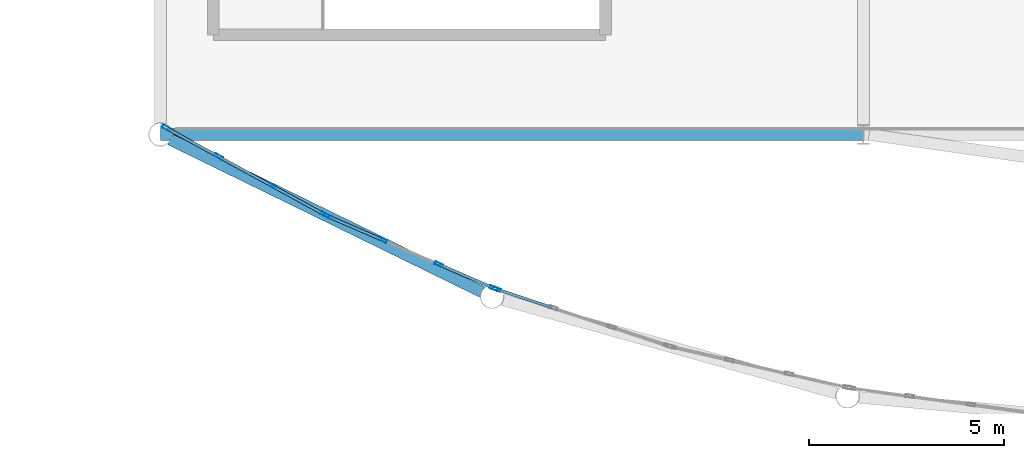
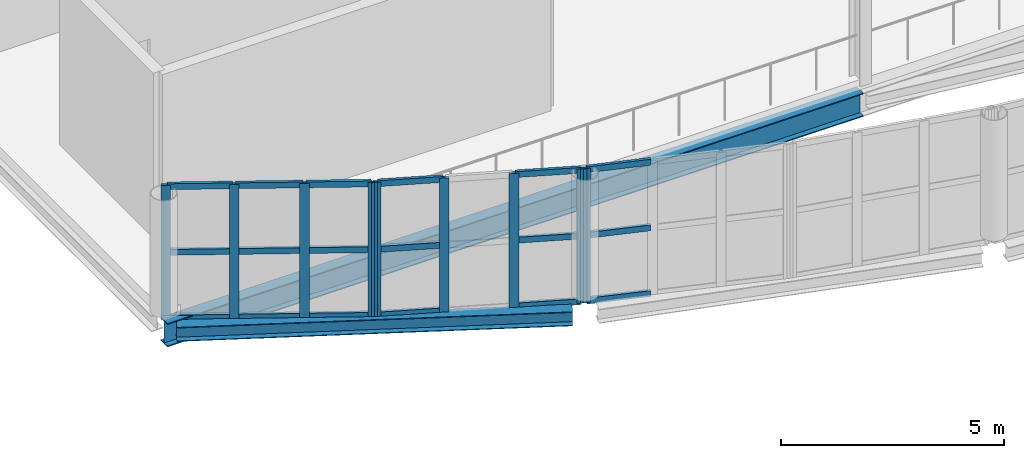
# One storey, part 26 of 134: 27 members, 2 beams, 3 elements without a shape of their own.
"""IFC4 building model written with IfcOpenShell, lengths in metres."""

from ifc_helpers import new_model, si_unit, direction, frame, origin, origin_2d, place, context, subcontext, project, spatial, hollow_rectangle, i_section, extrude, material, layer, layer_set, material_profile, profile_set, type_object, element, aggregate, save


model = new_model("IFC4")

# Units and contexts
model_context = context("Model", 3, precision=1e-05, world=origin(), true_north=direction((0.0, 1.0)))
body_context = subcontext(model_context, "Body", "Model", "MODEL_VIEW")
ifc_project = project(units=[si_unit("LENGTHUNIT", "METRE"), si_unit("AREAUNIT", "SQUARE_METRE"), si_unit("VOLUMEUNIT", "CUBIC_METRE"), si_unit("PLANEANGLEUNIT", "RADIAN"), si_unit("MASSUNIT", "GRAM", prefix="KILO")], contexts=[model_context])

# Site, building, storey
site_placement = place(None, origin())
site = spatial("IfcSite", under=ifc_project, at=site_placement, CompositionType="ELEMENT")
building_placement = place(site_placement, origin())
building = spatial("IfcBuilding", under=site, at=building_placement, Name="Tamarisk Ironworks Central Station", CompositionType="ELEMENT")
storey_placement = place(building_placement, frame((0.0, 0.0, 12.60009765625)))
storey = spatial("IfcBuildingStorey", under=building, at=storey_placement, Name="L02", CompositionType="ELEMENT", Elevation=12.60009765625)

# Beams
ifc_material_1 = material(Name="Structural steel S355J2", Category="steel")
ifc_material_profile_1 = material_profile(ifc_material_1, i_section(OverallWidth=0.300048828125, OverallDepth=0.639892578125, WebThickness=0.013427734375, FlangeThickness=0.02587890625, at=origin_2d()), Name="HEA 650")
ifc_profile_set_1 = profile_set([ifc_material_profile_1], Name="Structural steel S355J2")
beam_type_1 = type_object("IfcBeamType", Name="BM-G02", PredefinedType="BEAM", material=ifc_profile_set_1)
beam_1_placement = place(storey_placement, frame((54.00390625, 10.800048828125, -0.60009765625), z_axis=(1.0, 0.0, 0.0), x_axis=(0.0, 1.0, 0.0)))
element("IfcBeam", 1, at=beam_1_placement, inside=storey, type_object=beam_type_1, Name="L02 primary girder X-0300", PredefinedType="BEAM", context=body_context, shape_type="SweptSolid", body=[
    extrude(i_section(OverallWidth=0.300048828125, OverallDepth=0.639892578125, WebThickness=0.013427734375, FlangeThickness=0.02587890625, at=origin_2d()), origin(), (0.0, 0.0, 1.0), 17.9921875),
])
ifc_material_profile_2 = material_profile(ifc_material_1, i_section(OverallWidth=0.300048828125, OverallDepth=0.389892578125, WebThickness=0.010986328125, FlangeThickness=0.01904296875, at=origin_2d()), Name="HEA 400")
ifc_profile_set_2 = profile_set([ifc_material_profile_2], Name="Structural steel S355J2")
beam_type_2 = type_object("IfcBeamType", Name="BM-G07", PredefinedType="BEAM", material=ifc_profile_set_2)
beam_2_placement = place(storey_placement, frame((54.256103515625, 10.6748046875, -0.5751953125), z_axis=(0.898280916505, -0.439421659734, 0.0), x_axis=(0.439421659734, 0.898280916505, 0.0)))
element("IfcBeam", 2, at=beam_2_placement, inside=storey, type_object=beam_type_2, Name="SN rounded nose L02 chord girder 002", PredefinedType="BEAM", context=body_context, shape_type="SweptSolid", body=[
    extrude(i_section(OverallWidth=0.300048828125, OverallDepth=0.389892578125, WebThickness=0.010986328125, FlangeThickness=0.01904296875, at=origin_2d()), origin(), (0.0, 0.0, 1.0), 8.880126953125),
])

# Curtain wall, members
ifc_material_2 = material(Name="Anodized aluminium alloy 6063-T6", Category="aluminium")
ifc_layer = layer(ifc_material_2, 0.179931640625)
ifc_layer_set = layer_set([ifc_layer], Name="Anodized aluminium alloy 6063-T6")
curtain_wall_type = type_object("IfcCurtainWallType", Name="CW-03", PredefinedType="USERDEFINED", material=ifc_layer_set)
curtain_wall_1_placement = place(storey_placement, origin())
curtain_wall_1 = element("IfcCurtainWall", 3, at=curtain_wall_1_placement, inside=storey, type_object=curtain_wall_type, Name="SN rounded entrance hall L02 curtain wall bay 01", ObjectType="GLAZED CURTAIN WALL", PredefinedType="USERDEFINED")
ifc_material_profile_3 = material_profile(ifc_material_2, hollow_rectangle(XDim=0.074951171875, YDim=0.219970703125, WallThickness=0.00390625, at=origin_2d()), Name="ALUM 220x75")
ifc_profile_set_3 = profile_set([ifc_material_profile_3], Name="Anodized aluminium alloy 6063-T6")
member_type_1 = type_object("IfcMemberType", Name="CWM-01", PredefinedType="MULLION", material=ifc_profile_set_3)
member_1_placement = place(storey_placement, frame((54.148681640625, 10.968994140625, -0.385009765625), z_axis=(0.0, 0.0, 1.0), x_axis=(0.47980544644, 0.877374910495, 0.0)))
member_1 = element("IfcMember", 4, at=member_1_placement, type_object=member_type_1, Name="CW03 mullion 1", PredefinedType="MULLION", context=body_context, shape_type="SweptSolid", body=[
    extrude(hollow_rectangle(XDim=0.074951171875, YDim=0.219970703125, WallThickness=0.00390625, at=origin_2d()), origin(), (0.0, 0.0, 1.0), 3.664794921875),
])
member_2_placement = place(storey_placement, frame((55.4931640625, 10.23388671875, -0.385009765625), z_axis=(0.0, 0.0, 1.0), x_axis=(0.47980544644, 0.877374910495, 0.0)))
member_2 = element("IfcMember", 5, at=member_2_placement, type_object=member_type_1, Name="CW03 mullion 2", PredefinedType="MULLION", context=body_context, shape_type="SweptSolid", body=[
    extrude(hollow_rectangle(XDim=0.074951171875, YDim=0.219970703125, WallThickness=0.00390625, at=origin_2d()), origin(), (0.0, 0.0, 1.0), 3.664794921875),
])
member_3_placement = place(storey_placement, frame((56.870361328125, 9.480712890625, -0.385009765625), z_axis=(0.0, 0.0, 1.0), x_axis=(0.47980544644, 0.877374910495, 0.0)))
member_3 = element("IfcMember", 6, at=member_3_placement, type_object=member_type_1, Name="CW03 mullion 3", PredefinedType="MULLION", context=body_context, shape_type="SweptSolid", body=[
    extrude(hollow_rectangle(XDim=0.074951171875, YDim=0.219970703125, WallThickness=0.00390625, at=origin_2d()), origin(), (0.0, 0.0, 1.0), 3.664794921875),
])
member_4_placement = place(storey_placement, frame((58.21484375, 8.745361328125, -0.385009765625), z_axis=(0.0, 0.0, 1.0), x_axis=(0.47980544644, 0.877374910495, 0.0)))
member_4 = element("IfcMember", 7, at=member_4_placement, type_object=member_type_1, Name="CW03 mullion 4", PredefinedType="MULLION", context=body_context, shape_type="SweptSolid", body=[
    extrude(hollow_rectangle(XDim=0.074951171875, YDim=0.219970703125, WallThickness=0.00390625, at=origin_2d()), origin(), (0.0, 0.0, 1.0), 3.664794921875),
])

curtain_wall_2_placement = place(storey_placement, origin())
curtain_wall_2 = element("IfcCurtainWall", 8, at=curtain_wall_2_placement, inside=storey, type_object=curtain_wall_type, Name="SN rounded entrance hall L02 curtain wall bay 02", ObjectType="GLAZED CURTAIN WALL", PredefinedType="USERDEFINED")
member_5_placement = place(storey_placement, frame((58.2822265625, 8.71240234375, -0.385009765625), z_axis=(0.0, 0.0, 1.0), x_axis=(0.398076935564, 0.917352033503, 0.0)))
member_5 = element("IfcMember", 9, at=member_5_placement, type_object=member_type_1, Name="CW03 mullion 1", PredefinedType="MULLION", context=body_context, shape_type="SweptSolid", body=[
    extrude(hollow_rectangle(XDim=0.074951171875, YDim=0.219970703125, WallThickness=0.00390625, at=origin_2d()), origin(), (0.0, 0.0, 1.0), 3.664794921875),
])
member_6_placement = place(storey_placement, frame((59.68798828125, 8.1025390625, -0.385009765625), z_axis=(0.0, 0.0, 1.0), x_axis=(0.398076935564, 0.917352033503, 0.0)))
member_6 = element("IfcMember", 10, at=member_6_placement, type_object=member_type_1, Name="CW03 mullion 2", PredefinedType="MULLION", context=body_context, shape_type="SweptSolid", body=[
    extrude(hollow_rectangle(XDim=0.074951171875, YDim=0.219970703125, WallThickness=0.00390625, at=origin_2d()), origin(), (0.0, 0.0, 1.0), 3.664794921875),
])
member_7_placement = place(storey_placement, frame((61.128173828125, 7.4775390625, -0.385009765625), z_axis=(0.0, 0.0, 1.0), x_axis=(0.398076935564, 0.917352033503, 0.0)))
member_7 = element("IfcMember", 11, at=member_7_placement, type_object=member_type_1, Name="CW03 mullion 3", PredefinedType="MULLION", context=body_context, shape_type="SweptSolid", body=[
    extrude(hollow_rectangle(XDim=0.074951171875, YDim=0.219970703125, WallThickness=0.00390625, at=origin_2d()), origin(), (0.0, 0.0, 1.0), 3.664794921875),
])
member_8_placement = place(storey_placement, frame((62.53369140625, 6.867431640625, -0.385009765625), z_axis=(0.0, 0.0, 1.0), x_axis=(0.398076935564, 0.917352033503, 0.0)))
member_8 = element("IfcMember", 12, at=member_8_placement, type_object=member_type_1, Name="CW03 mullion 4", PredefinedType="MULLION", context=body_context, shape_type="SweptSolid", body=[
    extrude(hollow_rectangle(XDim=0.074951171875, YDim=0.219970703125, WallThickness=0.00390625, at=origin_2d()), origin(), (0.0, 0.0, 1.0), 3.664794921875),
])

# Curtain wall, member
curtain_wall_3_placement = place(storey_placement, origin())
curtain_wall_3 = element("IfcCurtainWall", 13, at=curtain_wall_3_placement, inside=storey, type_object=curtain_wall_type, Name="SN rounded entrance hall L02 curtain wall bay 03", ObjectType="GLAZED CURTAIN WALL", PredefinedType="USERDEFINED")
member_9_placement = place(storey_placement, frame((62.603759765625, 6.8408203125, -0.385009765625), z_axis=(0.0, 0.0, 1.0), x_axis=(0.313098460171, 0.949720671692, 0.0)))
member_9 = element("IfcMember", 14, at=member_9_placement, type_object=member_type_1, Name="CW03 mullion 1", PredefinedType="MULLION", context=body_context, shape_type="SweptSolid", body=[
    extrude(hollow_rectangle(XDim=0.074951171875, YDim=0.219970703125, WallThickness=0.00390625, at=origin_2d()), origin(), (0.0, 0.0, 1.0), 3.664794921875),
])

# Member
ifc_material_profile_4 = material_profile(ifc_material_2, hollow_rectangle(XDim=0.074951171875, YDim=0.159912109375, WallThickness=0.00390625, at=origin_2d()), Name="ALUM 160x75")
ifc_profile_set_4 = profile_set([ifc_material_profile_4], Name="Anodized aluminium alloy 6063-T6")
member_type_2 = type_object("IfcMemberType", Name="CWT-01", PredefinedType="USERDEFINED", material=ifc_profile_set_4)
member_10_placement = place(storey_placement, frame((54.177978515625, 10.953125, -0.34765625), z_axis=(0.8773601803, -0.479832381174, 0.0), x_axis=(0.479832381174, 0.8773601803, 0.0)))
member_10 = element("IfcMember", 15, at=member_10_placement, type_object=member_type_2, Name="CW03 transom 1.1", ObjectType="TRANSOM", PredefinedType="USERDEFINED", context=body_context, shape_type="SweptSolid", body=[
    extrude(hollow_rectangle(XDim=0.074951171875, YDim=0.159912109375, WallThickness=0.00390625, at=origin_2d()), origin(), (0.0, 0.0, 1.0), 1.46533203125),
])

member_11_placement = place(storey_placement, frame((54.177978515625, 10.953125, 1.447509765625), z_axis=(0.8773601803, -0.479832381174, 0.0), x_axis=(0.479832381174, 0.8773601803, 0.0)))
member_11 = element("IfcMember", 16, at=member_11_placement, type_object=member_type_2, Name="CW03 transom 1.2", ObjectType="TRANSOM", PredefinedType="USERDEFINED", context=body_context, shape_type="SweptSolid", body=[
    extrude(hollow_rectangle(XDim=0.074951171875, YDim=0.159912109375, WallThickness=0.00390625, at=origin_2d()), origin(), (0.0, 0.0, 1.0), 1.46533203125),
])

member_12_placement = place(storey_placement, frame((54.177978515625, 10.953125, 3.242431640625), z_axis=(0.8773601803, -0.479832381174, 0.0), x_axis=(0.479832381174, 0.8773601803, 0.0)))
member_12 = element("IfcMember", 17, at=member_12_placement, type_object=member_type_2, Name="CW03 transom 1.3", ObjectType="TRANSOM", PredefinedType="USERDEFINED", context=body_context, shape_type="SweptSolid", body=[
    extrude(hollow_rectangle(XDim=0.074951171875, YDim=0.159912109375, WallThickness=0.00390625, at=origin_2d()), origin(), (0.0, 0.0, 1.0), 1.46533203125),
])

member_13_placement = place(storey_placement, frame((55.5224609375, 10.2177734375, -0.34765625), z_axis=(0.877417084433, -0.479728318891, 0.0), x_axis=(0.479728318891, 0.877417084433, 0.0)))
member_13 = element("IfcMember", 18, at=member_13_placement, type_object=member_type_2, Name="CW03 transom 2.1", ObjectType="TRANSOM", PredefinedType="USERDEFINED", context=body_context, shape_type="SweptSolid", body=[
    extrude(hollow_rectangle(XDim=0.074951171875, YDim=0.159912109375, WallThickness=0.00390625, at=origin_2d()), origin(), (0.0, 0.0, 1.0), 1.5029296875),
])

member_14_placement = place(storey_placement, frame((55.5224609375, 10.2177734375, 1.447509765625), z_axis=(0.877417084433, -0.479728318891, 0.0), x_axis=(0.479728318891, 0.877417084433, 0.0)))
member_14 = element("IfcMember", 19, at=member_14_placement, type_object=member_type_2, Name="CW03 transom 2.2", ObjectType="TRANSOM", PredefinedType="USERDEFINED", context=body_context, shape_type="SweptSolid", body=[
    extrude(hollow_rectangle(XDim=0.074951171875, YDim=0.159912109375, WallThickness=0.00390625, at=origin_2d()), origin(), (0.0, 0.0, 1.0), 1.5029296875),
])

member_15_placement = place(storey_placement, frame((55.5224609375, 10.2177734375, 3.242431640625), z_axis=(0.877417084433, -0.479728318891, 0.0), x_axis=(0.479728318891, 0.877417084433, 0.0)))
member_15 = element("IfcMember", 20, at=member_15_placement, type_object=member_type_2, Name="CW03 transom 2.3", ObjectType="TRANSOM", PredefinedType="USERDEFINED", context=body_context, shape_type="SweptSolid", body=[
    extrude(hollow_rectangle(XDim=0.074951171875, YDim=0.159912109375, WallThickness=0.00390625, at=origin_2d()), origin(), (0.0, 0.0, 1.0), 1.5029296875),
])

member_16_placement = place(storey_placement, frame((56.89990234375, 9.464599609375, -0.34765625), z_axis=(0.8773601803, -0.479832381174, 0.0), x_axis=(0.479832381174, 0.8773601803, 0.0)))
member_16 = element("IfcMember", 21, at=member_16_placement, type_object=member_type_2, Name="CW03 transom 3.1", ObjectType="TRANSOM", PredefinedType="USERDEFINED", context=body_context, shape_type="SweptSolid", body=[
    extrude(hollow_rectangle(XDim=0.074951171875, YDim=0.159912109375, WallThickness=0.00390625, at=origin_2d()), origin(), (0.0, 0.0, 1.0), 1.46533203125),
])

member_17_placement = place(storey_placement, frame((56.89990234375, 9.464599609375, 1.447509765625), z_axis=(0.8773601803, -0.479832381174, 0.0), x_axis=(0.479832381174, 0.8773601803, 0.0)))
member_17 = element("IfcMember", 22, at=member_17_placement, type_object=member_type_2, Name="CW03 transom 3.2", ObjectType="TRANSOM", PredefinedType="USERDEFINED", context=body_context, shape_type="SweptSolid", body=[
    extrude(hollow_rectangle(XDim=0.074951171875, YDim=0.159912109375, WallThickness=0.00390625, at=origin_2d()), origin(), (0.0, 0.0, 1.0), 1.46533203125),
])

member_18_placement = place(storey_placement, frame((56.89990234375, 9.464599609375, 3.242431640625), z_axis=(0.8773601803, -0.479832381174, 0.0), x_axis=(0.479832381174, 0.8773601803, 0.0)))
member_18 = element("IfcMember", 23, at=member_18_placement, type_object=member_type_2, Name="CW03 transom 3.3", ObjectType="TRANSOM", PredefinedType="USERDEFINED", context=body_context, shape_type="SweptSolid", body=[
    extrude(hollow_rectangle(XDim=0.074951171875, YDim=0.159912109375, WallThickness=0.00390625, at=origin_2d()), origin(), (0.0, 0.0, 1.0), 1.46533203125),
])

aggregate(curtain_wall_1, [member_1, member_2, member_3, member_4, member_10, member_11, member_12, member_13, member_14, member_15, member_16, member_17, member_18])

member_19_placement = place(storey_placement, frame((58.31298828125, 8.69921875, -0.34765625), z_axis=(0.917308272991, -0.398177764702, 0.0), x_axis=(0.398177764702, 0.917308272991, 0.0)))
member_19 = element("IfcMember", 24, at=member_19_placement, type_object=member_type_2, Name="CW03 transom 1.1", ObjectType="TRANSOM", PredefinedType="USERDEFINED", context=body_context, shape_type="SweptSolid", body=[
    extrude(hollow_rectangle(XDim=0.074951171875, YDim=0.159912109375, WallThickness=0.00390625, at=origin_2d()), origin(), (0.0, 0.0, 1.0), 1.46533203125),
])

member_20_placement = place(storey_placement, frame((58.31298828125, 8.69921875, 1.447509765625), z_axis=(0.917308272991, -0.398177764702, 0.0), x_axis=(0.398177764702, 0.917308272991, 0.0)))
member_20 = element("IfcMember", 25, at=member_20_placement, type_object=member_type_2, Name="CW03 transom 1.2", ObjectType="TRANSOM", PredefinedType="USERDEFINED", context=body_context, shape_type="SweptSolid", body=[
    extrude(hollow_rectangle(XDim=0.074951171875, YDim=0.159912109375, WallThickness=0.00390625, at=origin_2d()), origin(), (0.0, 0.0, 1.0), 1.46533203125),
])

member_21_placement = place(storey_placement, frame((58.31298828125, 8.69921875, 3.242431640625), z_axis=(0.917308272991, -0.398177764702, 0.0), x_axis=(0.398177764702, 0.917308272991, 0.0)))
member_21 = element("IfcMember", 26, at=member_21_placement, type_object=member_type_2, Name="CW03 transom 1.3", ObjectType="TRANSOM", PredefinedType="USERDEFINED", context=body_context, shape_type="SweptSolid", body=[
    extrude(hollow_rectangle(XDim=0.074951171875, YDim=0.159912109375, WallThickness=0.00390625, at=origin_2d()), origin(), (0.0, 0.0, 1.0), 1.46533203125),
])

member_22_placement = place(storey_placement, frame((61.15869140625, 7.464111328125, -0.34765625), z_axis=(0.917395508869, -0.397976733374, 0.0), x_axis=(0.397976733374, 0.917395508869, 0.0)))
member_22 = element("IfcMember", 27, at=member_22_placement, type_object=member_type_2, Name="CW03 transom 3.1", ObjectType="TRANSOM", PredefinedType="USERDEFINED", context=body_context, shape_type="SweptSolid", body=[
    extrude(hollow_rectangle(XDim=0.074951171875, YDim=0.159912109375, WallThickness=0.00390625, at=origin_2d()), origin(), (0.0, 0.0, 1.0), 1.465576171875),
])

member_23_placement = place(storey_placement, frame((61.15869140625, 7.464111328125, 1.447509765625), z_axis=(0.917395508869, -0.397976733374, 0.0), x_axis=(0.397976733374, 0.917395508869, 0.0)))
member_23 = element("IfcMember", 28, at=member_23_placement, type_object=member_type_2, Name="CW03 transom 3.2", ObjectType="TRANSOM", PredefinedType="USERDEFINED", context=body_context, shape_type="SweptSolid", body=[
    extrude(hollow_rectangle(XDim=0.074951171875, YDim=0.159912109375, WallThickness=0.00390625, at=origin_2d()), origin(), (0.0, 0.0, 1.0), 1.465576171875),
])

member_24_placement = place(storey_placement, frame((61.15869140625, 7.464111328125, 3.242431640625), z_axis=(0.917395508869, -0.397976733374, 0.0), x_axis=(0.397976733374, 0.917395508869, 0.0)))
member_24 = element("IfcMember", 29, at=member_24_placement, type_object=member_type_2, Name="CW03 transom 3.3", ObjectType="TRANSOM", PredefinedType="USERDEFINED", context=body_context, shape_type="SweptSolid", body=[
    extrude(hollow_rectangle(XDim=0.074951171875, YDim=0.159912109375, WallThickness=0.00390625, at=origin_2d()), origin(), (0.0, 0.0, 1.0), 1.465576171875),
])

aggregate(curtain_wall_2, [member_5, member_6, member_7, member_8, member_19, member_20, member_21, member_22, member_23, member_24])

member_25_placement = place(storey_placement, frame((62.6357421875, 6.830322265625, -0.34765625), z_axis=(0.949727770531, -0.313076926461, 0.0), x_axis=(0.313076926461, 0.949727770531, 0.0)))
member_25 = element("IfcMember", 30, at=member_25_placement, type_object=member_type_2, Name="CW03 transom 1.1", ObjectType="TRANSOM", PredefinedType="USERDEFINED", context=body_context, shape_type="SweptSolid", body=[
    extrude(hollow_rectangle(XDim=0.074951171875, YDim=0.159912109375, WallThickness=0.00390625, at=origin_2d()), origin(), (0.0, 0.0, 1.0), 1.46533203125),
])

member_26_placement = place(storey_placement, frame((62.6357421875, 6.830322265625, 1.447509765625), z_axis=(0.949727770531, -0.313076926461, 0.0), x_axis=(0.313076926461, 0.949727770531, 0.0)))
member_26 = element("IfcMember", 31, at=member_26_placement, type_object=member_type_2, Name="CW03 transom 1.2", ObjectType="TRANSOM", PredefinedType="USERDEFINED", context=body_context, shape_type="SweptSolid", body=[
    extrude(hollow_rectangle(XDim=0.074951171875, YDim=0.159912109375, WallThickness=0.00390625, at=origin_2d()), origin(), (0.0, 0.0, 1.0), 1.46533203125),
])

member_27_placement = place(storey_placement, frame((62.6357421875, 6.830322265625, 3.242431640625), z_axis=(0.949727770531, -0.313076926461, 0.0), x_axis=(0.313076926461, 0.949727770531, 0.0)))
member_27 = element("IfcMember", 32, at=member_27_placement, type_object=member_type_2, Name="CW03 transom 1.3", ObjectType="TRANSOM", PredefinedType="USERDEFINED", context=body_context, shape_type="SweptSolid", body=[
    extrude(hollow_rectangle(XDim=0.074951171875, YDim=0.159912109375, WallThickness=0.00390625, at=origin_2d()), origin(), (0.0, 0.0, 1.0), 1.46533203125),
])

aggregate(curtain_wall_3, [member_9, member_25, member_26, member_27])

save(model, "model.ifc")
